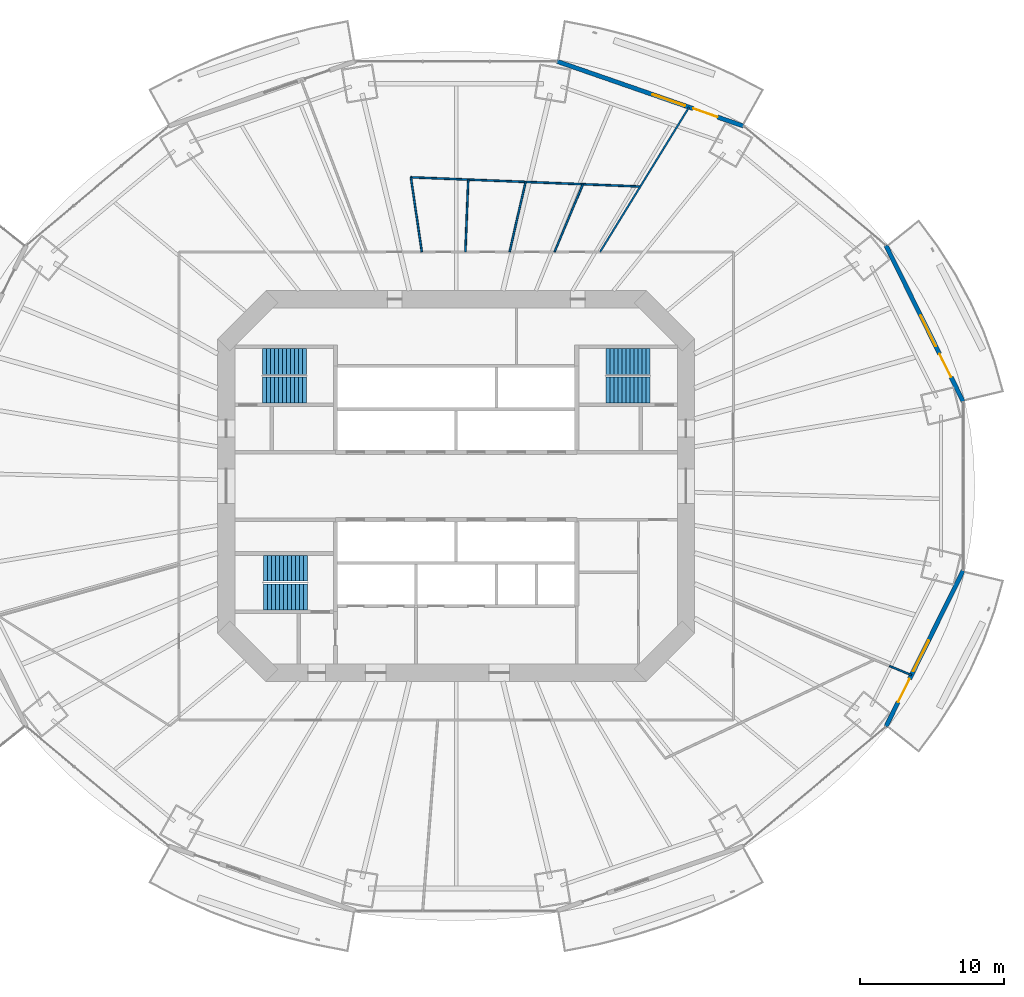
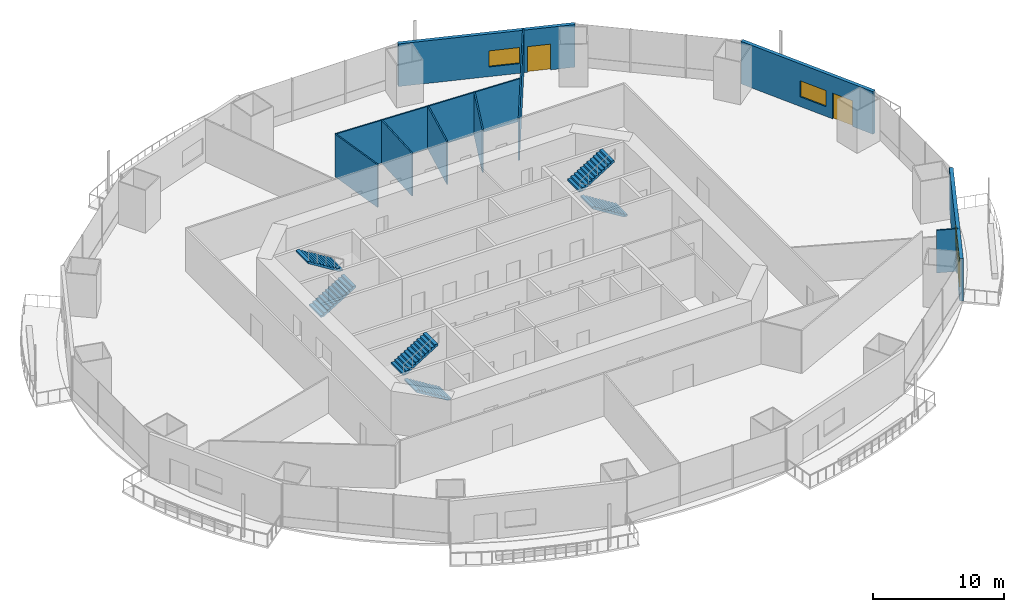
# One storey, part 17 of 23: 10 walls, 6 stair flights, 3 doors, 3 windows, 6 openings, 3 elements without a shape of their own.
"""IFC4 building model written with IfcOpenShell, lengths in metres."""

from ifc_helpers import new_model, si_unit, direction, frame, frame_2d, origin, place, context, subcontext, project, spatial, polyline, rectangle, outline, extrude, material, layer, layer_set, type_object, element, fill, aggregate, save


model = new_model("IFC4")

# Units and contexts
model_context = context("Model", 3, precision=1e-05, world=origin(), true_north=direction((0.0, 1.0)))
body_context = subcontext(model_context, "Body", "Model", "MODEL_VIEW")
ifc_project = project(units=[si_unit("LENGTHUNIT", "METRE"), si_unit("AREAUNIT", "SQUARE_METRE"), si_unit("VOLUMEUNIT", "CUBIC_METRE"), si_unit("PLANEANGLEUNIT", "RADIAN"), si_unit("MASSUNIT", "GRAM", prefix="KILO")], contexts=[model_context])

# Site, building, storey
site_placement = place(None, origin())
site = spatial("IfcSite", under=ifc_project, at=site_placement, CompositionType="ELEMENT")
building_placement = place(site_placement, origin())
building = spatial("IfcBuilding", under=site, at=building_placement, Name="Marenthal Gate Tower", CompositionType="ELEMENT")
storey_placement = place(building_placement, frame((0.0, 0.0, 57.89990234375)))
storey = spatial("IfcBuildingStorey", under=building, at=storey_placement, Name="L10", CompositionType="ELEMENT", Elevation=57.89990234375)

# Walls
ifc_material_1 = material(Name="Gypsum board on steel studs", Category="steel")
ifc_layer_1 = layer(ifc_material_1, 0.1201171875)
ifc_layer_set_1 = layer_set([ifc_layer_1], Name="Partition 120")
wall_type_1 = type_object("IfcWallType", Name="Partition 120", PredefinedType="PARTITIONING", material=ifc_layer_set_1)
wall_1_placement = place(storey_placement, frame((-3.151123046875, 21.496337890625, 0.0), z_axis=(0.0, 0.0, 1.0), x_axis=(0.145038947254, -0.989425946587, 0.0)))
element("IfcWall", 1, at=wall_1_placement, inside=storey, type_object=wall_type_1, Name="Partition wall 53", PredefinedType="PARTITIONING", context=body_context, shape_type="SweptSolid", body=[
    extrude(rectangle(XDim=5.251708984375, YDim=0.1201171875, at=frame_2d((2.6259765625, 0.0))), origin(), (0.0, 0.0, 1.0), 3.97021484375),
])
wall_2_placement = place(storey_placement, frame((0.842041015625, 21.335693359375, 0.0), z_axis=(0.0, 0.0, 1.0), x_axis=(-0.039434056556, -0.999222175086, 0.0)))
element("IfcWall", 2, at=wall_2_placement, inside=storey, type_object=wall_type_1, Name="Partition wall 55", PredefinedType="PARTITIONING", context=body_context, shape_type="SweptSolid", body=[
    extrude(rectangle(XDim=5.03955078125, YDim=0.1201171875, at=frame_2d((2.519775390625, 0.0))), origin(), (0.0, 0.0, 1.0), 3.97021484375),
])
wall_3_placement = place(storey_placement, frame((4.835205078125, 21.175048828125, 0.0), z_axis=(0.0, 0.0, 1.0), x_axis=(-0.222587494033, -0.974912717888, 0.0)))
element("IfcWall", 3, at=wall_3_placement, inside=storey, type_object=wall_type_1, Name="Partition wall 56", PredefinedType="PARTITIONING", context=body_context, shape_type="SweptSolid", body=[
    extrude(rectangle(XDim=5.00048828125, YDim=0.1201171875, at=frame_2d((2.500244140625, 0.0))), origin(), (0.0, 0.0, 1.0), 3.97021484375),
])
wall_4_placement = place(storey_placement, frame((8.82861328125, 21.014404296875, 0.0), z_axis=(0.0, 0.0, 1.0), x_axis=(-0.387346118672, -0.921934370956, 0.0)))
element("IfcWall", 4, at=wall_4_placement, inside=storey, type_object=wall_type_1, Name="Partition wall 57", PredefinedType="PARTITIONING", context=body_context, shape_type="SweptSolid", body=[
    extrude(rectangle(XDim=5.113525390625, YDim=0.1201171875, at=frame_2d((2.556640625, 0.0))), origin(), (0.0, 0.0, 1.0), 3.97021484375),
])
wall_5_placement = place(storey_placement, frame((10.021728515625, 16.300048828125, 0.0), z_axis=(0.0, 0.0, 1.0), x_axis=(0.523760062699, 0.851865832583, 0.0)))
element("IfcWall", 5, at=wall_5_placement, inside=storey, type_object=wall_type_1, Name="Partition wall 58", PredefinedType="PARTITIONING", context=body_context, shape_type="SweptSolid", body=[
    extrude(rectangle(XDim=11.831787109375, YDim=0.1201171875, at=frame_2d((5.916015625, 0.0))), origin(), (0.0, 0.0, 1.0), 3.97021484375),
])
wall_6_placement = place(storey_placement, frame((12.82177734375, 20.85400390625, 0.0), z_axis=(0.0, 0.0, 1.0), x_axis=(-0.999192397074, 0.040181508547, 0.0)))
element("IfcWall", 6, at=wall_6_placement, inside=storey, type_object=wall_type_1, Name="Partition wall 59", PredefinedType="PARTITIONING", context=body_context, shape_type="SweptSolid", body=[
    extrude(rectangle(XDim=15.98583984375, YDim=0.1201171875, at=frame_2d((7.992919921875, 0.0))), origin(), (0.0, 0.0, 1.0), 3.97021484375),
])
wall_7_placement = place(storey_placement, frame((30.175537109375, -12.530517578125, 0.0), z_axis=(0.0, 0.0, 1.0), x_axis=(0.923548234134, -0.3834822802, 0.0)))
element("IfcWall", 7, at=wall_7_placement, inside=storey, type_object=wall_type_1, Name="Partition wall 66", PredefinedType="PARTITIONING", context=body_context, shape_type="SweptSolid", body=[
    extrude(rectangle(XDim=1.65283203125, YDim=0.1201171875, at=frame_2d((0.826416015625, 0.0))), origin(), (0.0, 0.0, 1.0), 3.97021484375),
])

# Wall, openings, door, window
ifc_material_2 = material(Name="Terracotta cladding on insulated concrete-block backing", Category="masonry")
ifc_layer_2 = layer(ifc_material_2, 0.300048828125)
ifc_layer_set_2 = layer_set([ifc_layer_2], Name="Terracotta facade wall 300")
wall_type_2 = type_object("IfcWallType", Name="Terracotta facade wall 300", PredefinedType="SOLIDWALL", material=ifc_layer_set_2)
wall_8_placement = place(storey_placement, frame((35.303466796875, 5.8818359375, 0.0), z_axis=(0.0, 0.0, 1.0), x_axis=(-0.443294866901, 0.896375848057, 0.0)))
wall_8 = element("IfcWall", 8, at=wall_8_placement, inside=storey, type_object=wall_type_2, Name="Terracotta facade wall L10 bay 1", PredefinedType="SOLIDWALL", context=body_context, shape_type="SweptSolid", body=[
    extrude(rectangle(XDim=12.12451171875, YDim=0.300048828125, at=frame_2d((6.062255859375, 0.0))), origin(), (0.0, 0.0, 1.0), 3.97021484375),
])
opening_1_placement = place(wall_8_placement, frame((1.89990234375, 0.0, 0.0)))
opening_1 = element("IfcOpeningElement", 9, at=opening_1_placement, cuts=wall_8, Name="Opening BD-L10-01", PredefinedType="OPENING", context=body_context, shape_type="SweptSolid", body=[
    extrude(rectangle(XDim=1.800048828125, YDim=2.39990234375, at=frame_2d((0.89990234375, 1.199951171875))), frame((0.0, 0.16015625, 0.0), z_axis=(0.0, -1.0, 0.0), x_axis=(1.0, 0.0, 0.0)), (0.0, 0.0, 1.0), 0.320068359375),
])
opening_2_placement = place(wall_8_placement, frame((4.300048828125, 0.0, 0.89990234375)))
opening_2 = element("IfcOpeningElement", 10, at=opening_2_placement, cuts=wall_8, Name="Opening WN1-L10-01", PredefinedType="OPENING", context=body_context, shape_type="SweptSolid", body=[
    extrude(rectangle(XDim=2.39990234375, YDim=1.5, at=frame_2d((1.199951171875, 0.75))), frame((0.0, 0.16015625, 0.0), z_axis=(0.0, -1.0, 0.0), x_axis=(1.0, 0.0, 0.0)), (0.0, 0.0, 1.0), 0.320068359375),
])
ifc_material_3 = material(Name="Aluminium and glass", Category="aluminium")
door_type = type_object("IfcDoorType", Name="Balcony door 1800x2400", OperationType="DOUBLE_DOOR_SINGLE_SWING", PredefinedType="DOOR", material=ifc_material_3)
door_1_placement = place(opening_1_placement, origin())
door_1 = element("IfcDoor", 11, at=door_1_placement, inside=storey, type_object=door_type, Name="Balcony door L10 bay 1", OperationType="SINGLE_SWING_LEFT", OverallHeight=2.39990234375, OverallWidth=1.800048828125, PredefinedType="DOOR", context=body_context, shape_type="SweptSolid", body=[
    extrude(rectangle(XDim=1.800048828125, YDim=2.39990234375, at=frame_2d((0.89990234375, 1.199951171875))), frame((0.0, 0.02490234375, 0.0), z_axis=(0.0, -1.0, 0.0), x_axis=(1.0, 0.0, 0.0)), (0.0, 0.0, 1.0), 0.050048828125),
])
fill(opening_1, door_1)
ifc_material_4 = material(Name="Aluminium and glass", Category="aluminium")
window_type = type_object("IfcWindowType", Name="Window 2400x1500", PartitioningType="TRIPLE_PANEL_VERTICAL", PredefinedType="WINDOW", material=ifc_material_4)
window_1_placement = place(opening_2_placement, origin())
window_1 = element("IfcWindow", 12, at=window_1_placement, inside=storey, type_object=window_type, Name="Window L10 bay 1", OverallHeight=1.5, OverallWidth=2.39990234375, PartitioningType="SINGLE_PANEL", PredefinedType="WINDOW", context=body_context, shape_type="SweptSolid", body=[
    extrude(rectangle(XDim=2.39990234375, YDim=1.5, at=frame_2d((1.199951171875, 0.75))), frame((0.0, 0.030029296875, 0.0), z_axis=(0.0, -1.0, 0.0), x_axis=(1.0, 0.0, 0.0)), (0.0, 0.0, 1.0), 0.06005859375),
])
fill(opening_2, window_1)

wall_9_placement = place(storey_placement, frame((19.997802734375, 25.068115234375, 0.0), z_axis=(0.0, 0.0, 1.0), x_axis=(-0.944762678088, 0.327755216727, 0.0)))
wall_9 = element("IfcWall", 13, at=wall_9_placement, inside=storey, type_object=wall_type_2, Name="Terracotta facade wall L10 bay 3", PredefinedType="SOLIDWALL", context=body_context, shape_type="SweptSolid", body=[
    extrude(rectangle(XDim=13.734130859375, YDim=0.300048828125, at=frame_2d((6.8671875, 0.0))), origin(), (0.0, 0.0, 1.0), 3.97021484375),
])
opening_3_placement = place(wall_9_placement, frame((1.89990234375, 0.0, 0.0)))
opening_3 = element("IfcOpeningElement", 14, at=opening_3_placement, cuts=wall_9, Name="Opening BD-L10-03", PredefinedType="OPENING", context=body_context, shape_type="SweptSolid", body=[
    extrude(rectangle(XDim=1.800048828125, YDim=2.39990234375, at=frame_2d((0.89990234375, 1.199951171875))), frame((0.0, 0.16015625, 0.0), z_axis=(0.0, -1.0, 0.0), x_axis=(1.0, 0.0, 0.0)), (0.0, 0.0, 1.0), 0.320068359375),
])
opening_4_placement = place(wall_9_placement, frame((4.300048828125, 0.0, 0.89990234375)))
opening_4 = element("IfcOpeningElement", 15, at=opening_4_placement, cuts=wall_9, Name="Opening WN1-L10-03", PredefinedType="OPENING", context=body_context, shape_type="SweptSolid", body=[
    extrude(rectangle(XDim=2.39990234375, YDim=1.5, at=frame_2d((1.199951171875, 0.75))), frame((0.0, 0.16015625, 0.0), z_axis=(0.0, -1.0, 0.0), x_axis=(1.0, 0.0, 0.0)), (0.0, 0.0, 1.0), 0.320068359375),
])
door_2_placement = place(opening_3_placement, origin())
door_2 = element("IfcDoor", 16, at=door_2_placement, inside=storey, type_object=door_type, Name="Balcony door L10 bay 3", OperationType="SINGLE_SWING_LEFT", OverallHeight=2.39990234375, OverallWidth=1.800048828125, PredefinedType="DOOR", context=body_context, shape_type="SweptSolid", body=[
    extrude(rectangle(XDim=1.800048828125, YDim=2.39990234375, at=frame_2d((0.89990234375, 1.199951171875))), frame((0.0, 0.02490234375, 0.0), z_axis=(0.0, -1.0, 0.0), x_axis=(1.0, 0.0, 0.0)), (0.0, 0.0, 1.0), 0.050048828125),
])
fill(opening_3, door_2)
window_2_placement = place(opening_4_placement, origin())
window_2 = element("IfcWindow", 17, at=window_2_placement, inside=storey, type_object=window_type, Name="Window L10 bay 3", OverallHeight=1.5, OverallWidth=2.39990234375, PartitioningType="SINGLE_PANEL", PredefinedType="WINDOW", context=body_context, shape_type="SweptSolid", body=[
    extrude(rectangle(XDim=2.39990234375, YDim=1.5, at=frame_2d((1.199951171875, 0.75))), frame((0.0, 0.030029296875, 0.0), z_axis=(0.0, -1.0, 0.0), x_axis=(1.0, 0.0, 0.0)), (0.0, 0.0, 1.0), 0.06005859375),
])
fill(opening_4, window_2)

wall_10_placement = place(storey_placement, frame((29.9287109375, -16.75, 0.0), z_axis=(0.0, 0.0, 1.0), x_axis=(0.443294866901, 0.896375848057, 0.0)))
wall_10 = element("IfcWall", 18, at=wall_10_placement, inside=storey, type_object=wall_type_2, Name="Terracotta facade wall L10 bay 15", PredefinedType="SOLIDWALL", context=body_context, shape_type="SweptSolid", body=[
    extrude(rectangle(XDim=12.12451171875, YDim=0.300048828125, at=frame_2d((6.062255859375, 0.0))), origin(), (0.0, 0.0, 1.0), 3.97021484375),
])
opening_5_placement = place(wall_10_placement, frame((1.89990234375, 0.0, 0.0)))
opening_5 = element("IfcOpeningElement", 19, at=opening_5_placement, cuts=wall_10, Name="Opening BD-L10-15", PredefinedType="OPENING", context=body_context, shape_type="SweptSolid", body=[
    extrude(rectangle(XDim=1.800048828125, YDim=2.39990234375, at=frame_2d((0.89990234375, 1.199951171875))), frame((0.0, 0.16015625, 0.0), z_axis=(0.0, -1.0, 0.0), x_axis=(1.0, 0.0, 0.0)), (0.0, 0.0, 1.0), 0.320068359375),
])
opening_6_placement = place(wall_10_placement, frame((4.300048828125, 0.0, 0.89990234375)))
opening_6 = element("IfcOpeningElement", 20, at=opening_6_placement, cuts=wall_10, Name="Opening WN1-L10-15", PredefinedType="OPENING", context=body_context, shape_type="SweptSolid", body=[
    extrude(rectangle(XDim=2.39990234375, YDim=1.5, at=frame_2d((1.199951171875, 0.75))), frame((0.0, 0.16015625, 0.0), z_axis=(0.0, -1.0, 0.0), x_axis=(1.0, 0.0, 0.0)), (0.0, 0.0, 1.0), 0.320068359375),
])
door_3_placement = place(opening_5_placement, origin())
door_3 = element("IfcDoor", 21, at=door_3_placement, inside=storey, type_object=door_type, Name="Balcony door L10 bay 15", OperationType="SINGLE_SWING_LEFT", OverallHeight=2.39990234375, OverallWidth=1.800048828125, PredefinedType="DOOR", context=body_context, shape_type="SweptSolid", body=[
    extrude(rectangle(XDim=1.800048828125, YDim=2.39990234375, at=frame_2d((0.89990234375, 1.199951171875))), frame((0.0, 0.02490234375, 0.0), z_axis=(0.0, -1.0, 0.0), x_axis=(1.0, 0.0, 0.0)), (0.0, 0.0, 1.0), 0.050048828125),
])
fill(opening_5, door_3)
window_3_placement = place(opening_6_placement, origin())
window_3 = element("IfcWindow", 22, at=window_3_placement, inside=storey, type_object=window_type, Name="Window L10 bay 15", OverallHeight=1.5, OverallWidth=2.39990234375, PartitioningType="SINGLE_PANEL", PredefinedType="WINDOW", context=body_context, shape_type="SweptSolid", body=[
    extrude(rectangle(XDim=2.39990234375, YDim=1.5, at=frame_2d((1.199951171875, 0.75))), frame((0.0, 0.030029296875, 0.0), z_axis=(0.0, -1.0, 0.0), x_axis=(1.0, 0.0, 0.0)), (0.0, 0.0, 1.0), 0.06005859375),
])
fill(opening_6, window_3)

# Stair, stair flights
ifc_material_5 = material(Name="Concrete 40 MPa", Category="concrete")
stair_type = type_object("IfcStairType", Name="Exit stair 1800", PredefinedType="HALF_TURN_STAIR", material=ifc_material_5)
stair_1_placement = place(storey_placement, origin())
stair_1 = element("IfcStair", 23, at=stair_1_placement, inside=storey, type_object=stair_type, Name="Stair ST1", PredefinedType="HALF_TURN_STAIR")
ifc_material_6 = material(Name="Concrete 40 MPa", Category="concrete")
stair_flight_type = type_object("IfcStairFlightType", Name="Stair flight 1800", PredefinedType="STRAIGHT", material=ifc_material_6)
stair_flight_1_placement = place(storey_placement, frame((-13.5, 6.675048828125, 0.0), z_axis=(0.0, 0.0, 1.0), x_axis=(1.0, 0.0, 0.0)))
stair_flight_1 = element("IfcStairFlight", 24, at=stair_flight_1_placement, type_object=stair_flight_type, Name="ST1 flight 1", NumberOfRisers=12, NumberOfTreads=11, PredefinedType="STRAIGHT", RiserHeight=0.172916667, TreadLength=0.28, context=body_context, shape_type="SweptSolid", body=[
    extrude(outline(polyline([(0.0, 0.0), (0.0, 0.1728515625), (0.280029296875, 0.1728515625), (0.280029296875, 0.345947265625), (0.56005859375, 0.345947265625), (0.56005859375, 0.518798828125), (0.840087890625, 0.518798828125), (0.840087890625, 0.691650390625), (1.1201171875, 0.691650390625), (1.1201171875, 0.864501953125), (1.39990234375, 0.864501953125), (1.39990234375, 1.03759765625), (1.679931640625, 1.03759765625), (1.679931640625, 1.21044921875), (1.9599609375, 1.21044921875), (1.9599609375, 1.38330078125), (2.239990234375, 1.38330078125), (2.239990234375, 1.55615234375), (2.52001953125, 1.55615234375), (2.52001953125, 1.729248046875), (2.800048828125, 1.729248046875), (2.800048828125, 1.902099609375), (3.080078125, 1.902099609375), (3.080078125, 2.074951171875), (3.080078125, 1.725830078125), (0.285400390625, 0.0), (0.0, 0.0)])), frame((0.0, 0.89990234375, 0.0), z_axis=(0.0, -1.0, 0.0), x_axis=(1.0, 0.0, 0.0)), (0.0, 0.0, 1.0), 1.800048828125),
])
stair_flight_2_placement = place(storey_placement, frame((-10.419921875, 8.675048828125, 2.0751953125), z_axis=(0.0, 0.0, 1.0), x_axis=(-1.0, 0.0, 0.0)))
stair_flight_2 = element("IfcStairFlight", 25, at=stair_flight_2_placement, type_object=stair_flight_type, Name="ST1 flight 2", NumberOfRisers=12, NumberOfTreads=11, PredefinedType="STRAIGHT", RiserHeight=0.172916667, TreadLength=0.28, context=body_context, shape_type="SweptSolid", body=[
    extrude(outline(polyline([(0.0, 0.0), (0.0, 0.1728515625), (0.280029296875, 0.1728515625), (0.280029296875, 0.345947265625), (0.56005859375, 0.345947265625), (0.56005859375, 0.518798828125), (0.840087890625, 0.518798828125), (0.840087890625, 0.691650390625), (1.1201171875, 0.691650390625), (1.1201171875, 0.864501953125), (1.39990234375, 0.864501953125), (1.39990234375, 1.03759765625), (1.679931640625, 1.03759765625), (1.679931640625, 1.21044921875), (1.9599609375, 1.21044921875), (1.9599609375, 1.38330078125), (2.239990234375, 1.38330078125), (2.239990234375, 1.55615234375), (2.52001953125, 1.55615234375), (2.52001953125, 1.729248046875), (2.800048828125, 1.729248046875), (2.800048828125, 1.902099609375), (3.080078125, 1.902099609375), (3.080078125, 2.074951171875), (3.080078125, 1.725830078125), (0.285400390625, 0.0), (0.0, 0.0)])), frame((0.0, 0.89990234375, 0.0), z_axis=(0.0, -1.0, 0.0), x_axis=(1.0, 0.0, 0.0)), (0.0, 0.0, 1.0), 1.800048828125),
])
aggregate(stair_1, [stair_flight_1, stair_flight_2])

stair_2_placement = place(storey_placement, origin())
stair_2 = element("IfcStair", 26, at=stair_2_placement, inside=storey, type_object=stair_type, Name="Stair ST2", PredefinedType="HALF_TURN_STAIR")
stair_flight_3_placement = place(storey_placement, frame((-10.35009765625, -7.72509765625, 0.0), z_axis=(0.0, 0.0, 1.0), x_axis=(-1.0, 0.0, 0.0)))
stair_flight_3 = element("IfcStairFlight", 27, at=stair_flight_3_placement, type_object=stair_flight_type, Name="ST2 flight 1", NumberOfRisers=12, NumberOfTreads=11, PredefinedType="STRAIGHT", RiserHeight=0.172916667, TreadLength=0.28, context=body_context, shape_type="SweptSolid", body=[
    extrude(outline(polyline([(0.0, 0.0), (0.0, 0.1728515625), (0.280029296875, 0.1728515625), (0.280029296875, 0.345947265625), (0.56005859375, 0.345947265625), (0.56005859375, 0.518798828125), (0.840087890625, 0.518798828125), (0.840087890625, 0.691650390625), (1.1201171875, 0.691650390625), (1.1201171875, 0.864501953125), (1.39990234375, 0.864501953125), (1.39990234375, 1.03759765625), (1.679931640625, 1.03759765625), (1.679931640625, 1.21044921875), (1.9599609375, 1.21044921875), (1.9599609375, 1.38330078125), (2.239990234375, 1.38330078125), (2.239990234375, 1.55615234375), (2.52001953125, 1.55615234375), (2.52001953125, 1.729248046875), (2.800048828125, 1.729248046875), (2.800048828125, 1.902099609375), (3.080078125, 1.902099609375), (3.080078125, 2.074951171875), (3.080078125, 1.725830078125), (0.285400390625, 0.0), (0.0, 0.0)])), frame((0.0, 0.89990234375, 0.0), z_axis=(0.0, -1.0, 0.0), x_axis=(1.0, 0.0, 0.0)), (0.0, 0.0, 1.0), 1.800048828125),
])
stair_flight_4_placement = place(storey_placement, frame((-13.429931640625, -5.72509765625, 2.0751953125), z_axis=(0.0, 0.0, 1.0), x_axis=(1.0, 0.0, 0.0)))
stair_flight_4 = element("IfcStairFlight", 28, at=stair_flight_4_placement, type_object=stair_flight_type, Name="ST2 flight 2", NumberOfRisers=12, NumberOfTreads=11, PredefinedType="STRAIGHT", RiserHeight=0.172916667, TreadLength=0.28, context=body_context, shape_type="SweptSolid", body=[
    extrude(outline(polyline([(0.0, 0.0), (0.0, 0.1728515625), (0.280029296875, 0.1728515625), (0.280029296875, 0.345947265625), (0.56005859375, 0.345947265625), (0.56005859375, 0.518798828125), (0.840087890625, 0.518798828125), (0.840087890625, 0.691650390625), (1.1201171875, 0.691650390625), (1.1201171875, 0.864501953125), (1.39990234375, 0.864501953125), (1.39990234375, 1.03759765625), (1.679931640625, 1.03759765625), (1.679931640625, 1.21044921875), (1.9599609375, 1.21044921875), (1.9599609375, 1.38330078125), (2.239990234375, 1.38330078125), (2.239990234375, 1.55615234375), (2.52001953125, 1.55615234375), (2.52001953125, 1.729248046875), (2.800048828125, 1.729248046875), (2.800048828125, 1.902099609375), (3.080078125, 1.902099609375), (3.080078125, 2.074951171875), (3.080078125, 1.725830078125), (0.285400390625, 0.0), (0.0, 0.0)])), frame((0.0, 0.89990234375, 0.0), z_axis=(0.0, -1.0, 0.0), x_axis=(1.0, 0.0, 0.0)), (0.0, 0.0, 1.0), 1.800048828125),
])
aggregate(stair_2, [stair_flight_3, stair_flight_4])

stair_3_placement = place(storey_placement, origin())
stair_3 = element("IfcStair", 29, at=stair_3_placement, inside=storey, type_object=stair_type, Name="Stair ST3", PredefinedType="HALF_TURN_STAIR")
stair_flight_5_placement = place(storey_placement, frame((13.5, 6.675048828125, 0.0), z_axis=(0.0, 0.0, 1.0), x_axis=(-1.0, 0.0, 0.0)))
stair_flight_5 = element("IfcStairFlight", 30, at=stair_flight_5_placement, type_object=stair_flight_type, Name="ST3 flight 1", NumberOfRisers=12, NumberOfTreads=11, PredefinedType="STRAIGHT", RiserHeight=0.172916667, TreadLength=0.28, context=body_context, shape_type="SweptSolid", body=[
    extrude(outline(polyline([(0.0, 0.0), (0.0, 0.1728515625), (0.280029296875, 0.1728515625), (0.280029296875, 0.345947265625), (0.56005859375, 0.345947265625), (0.56005859375, 0.518798828125), (0.840087890625, 0.518798828125), (0.840087890625, 0.691650390625), (1.1201171875, 0.691650390625), (1.1201171875, 0.864501953125), (1.39990234375, 0.864501953125), (1.39990234375, 1.03759765625), (1.679931640625, 1.03759765625), (1.679931640625, 1.21044921875), (1.9599609375, 1.21044921875), (1.9599609375, 1.38330078125), (2.239990234375, 1.38330078125), (2.239990234375, 1.55615234375), (2.52001953125, 1.55615234375), (2.52001953125, 1.729248046875), (2.800048828125, 1.729248046875), (2.800048828125, 1.902099609375), (3.080078125, 1.902099609375), (3.080078125, 2.074951171875), (3.080078125, 1.725830078125), (0.285400390625, 0.0), (0.0, 0.0)])), frame((0.0, 0.89990234375, 0.0), z_axis=(0.0, -1.0, 0.0), x_axis=(1.0, 0.0, 0.0)), (0.0, 0.0, 1.0), 1.800048828125),
])
stair_flight_6_placement = place(storey_placement, frame((10.419921875, 8.675048828125, 2.0751953125), z_axis=(0.0, 0.0, 1.0), x_axis=(1.0, 0.0, 0.0)))
stair_flight_6 = element("IfcStairFlight", 31, at=stair_flight_6_placement, type_object=stair_flight_type, Name="ST3 flight 2", NumberOfRisers=12, NumberOfTreads=11, PredefinedType="STRAIGHT", RiserHeight=0.172916667, TreadLength=0.28, context=body_context, shape_type="SweptSolid", body=[
    extrude(outline(polyline([(0.0, 0.0), (0.0, 0.1728515625), (0.280029296875, 0.1728515625), (0.280029296875, 0.345947265625), (0.56005859375, 0.345947265625), (0.56005859375, 0.518798828125), (0.840087890625, 0.518798828125), (0.840087890625, 0.691650390625), (1.1201171875, 0.691650390625), (1.1201171875, 0.864501953125), (1.39990234375, 0.864501953125), (1.39990234375, 1.03759765625), (1.679931640625, 1.03759765625), (1.679931640625, 1.21044921875), (1.9599609375, 1.21044921875), (1.9599609375, 1.38330078125), (2.239990234375, 1.38330078125), (2.239990234375, 1.55615234375), (2.52001953125, 1.55615234375), (2.52001953125, 1.729248046875), (2.800048828125, 1.729248046875), (2.800048828125, 1.902099609375), (3.080078125, 1.902099609375), (3.080078125, 2.074951171875), (3.080078125, 1.725830078125), (0.285400390625, 0.0), (0.0, 0.0)])), frame((0.0, 0.89990234375, 0.0), z_axis=(0.0, -1.0, 0.0), x_axis=(1.0, 0.0, 0.0)), (0.0, 0.0, 1.0), 1.800048828125),
])
aggregate(stair_3, [stair_flight_5, stair_flight_6])

save(model, "model.ifc")
